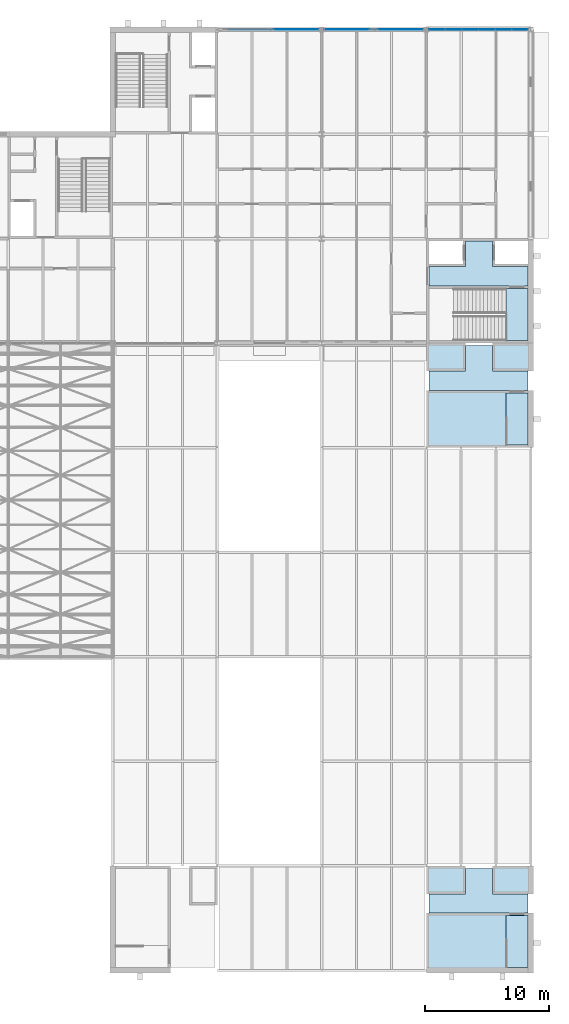
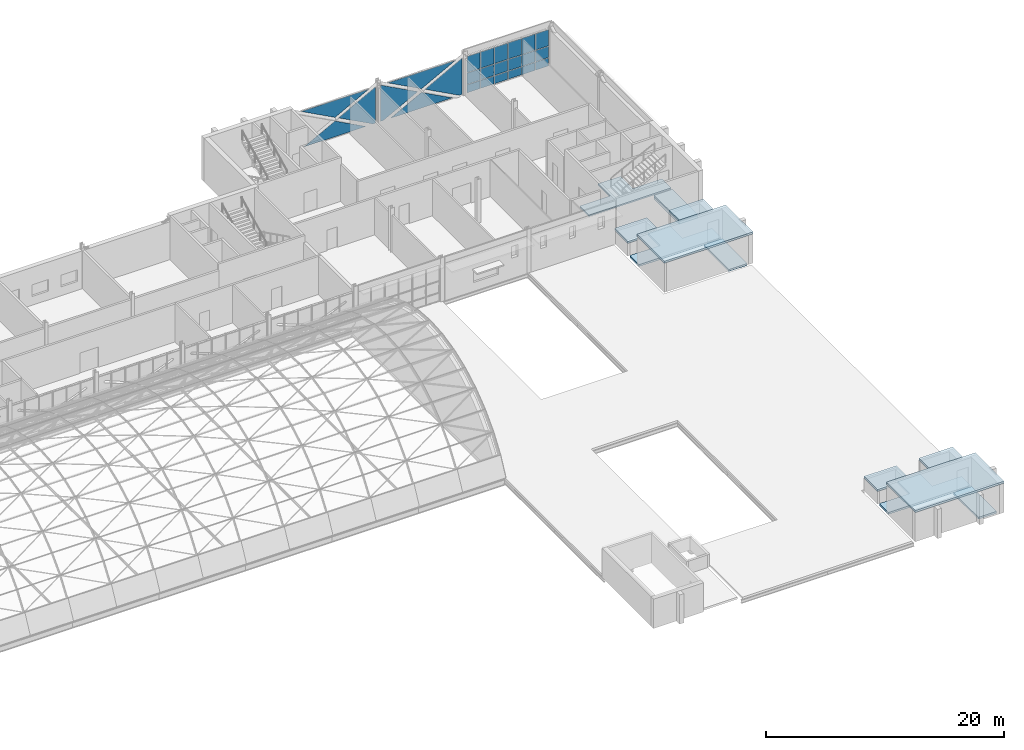
# One storey, part 81 of 121: 25 plates, 13 slabs, 3 elements without a shape of their own.
"""IFC4 building model written with IfcOpenShell, lengths in metres."""

from ifc_helpers import new_model, si_unit, direction, frame, origin, origin_2d, place, context, subcontext, project, spatial, polyline, rectangle, outline, extrude, material, layer, layer_set, type_object, element, aggregate, save


model = new_model("IFC4")

# Units and contexts
model_context = context("Model", 3, precision=1e-05, world=origin(), true_north=direction((0.0, 1.0)))
body_context = subcontext(model_context, "Body", "Model", "MODEL_VIEW")
ifc_project = project(units=[si_unit("LENGTHUNIT", "METRE"), si_unit("AREAUNIT", "SQUARE_METRE"), si_unit("VOLUMEUNIT", "CUBIC_METRE"), si_unit("PLANEANGLEUNIT", "RADIAN"), si_unit("MASSUNIT", "GRAM", prefix="KILO")], contexts=[model_context])

# Site, building, storey
site_placement = place(None, origin())
site = spatial("IfcSite", under=ifc_project, at=site_placement, CompositionType="ELEMENT")
building_placement = place(site_placement, origin())
building = spatial("IfcBuilding", under=site, at=building_placement, Name="Ardhachandra Cancer Care Centre", CompositionType="ELEMENT")
storey_placement = place(building_placement, frame((0.0, 0.0, 9.0)))
storey = spatial("IfcBuildingStorey", under=building, at=storey_placement, Name="L02", CompositionType="ELEMENT", Elevation=9.0)

# Slabs
ifc_material_1 = material(Name="Concrete M40", Category="concrete")
ifc_layer_1 = layer(ifc_material_1, 0.14990234375)
ifc_layer_set_1 = layer_set([ifc_layer_1], Name="Concrete M40")
slab_type_1 = type_object("IfcSlabType", Name="Core floor slab 150", PredefinedType="FLOOR", material=ifc_layer_set_1)
slab_1_placement = place(storey_placement, frame((0.0, 0.0, -0.14990234375)))
element("IfcSlab", 1, at=slab_1_placement, inside=storey, type_object=slab_type_1, Name="Core floor slab K13 L02 1", PredefinedType="FLOOR", context=body_context, shape_type="SweptSolid", body=[
    extrude(outline(polyline([(144.97509765625, 80.0), (144.97509765625, 84.199951171875), (143.199951171875, 84.199951171875), (143.199951171875, 80.0), (144.97509765625, 80.0)])), origin(), (0.0, 0.0, 1.0), 0.14990234375),
])
slab_2_placement = place(storey_placement, frame((0.0, 0.0, -0.14990234375)))
element("IfcSlab", 2, at=slab_2_placement, inside=storey, type_object=slab_type_1, Name="Core floor slab K13 L02 2", PredefinedType="FLOOR", context=body_context, shape_type="SweptSolid", body=[
    extrude(outline(polyline([(139.949951171875, 88.0), (139.949951171875, 86.14990234375), (139.949951171875, 85.949951171875), (137.0, 85.949951171875), (137.0, 84.39990234375), (144.97509765625, 84.39990234375), (144.97509765625, 85.949951171875), (142.125, 85.949951171875), (142.125, 86.14990234375), (142.125, 88.0), (139.949951171875, 88.0)])), origin(), (0.0, 0.0, 1.0), 0.14990234375),
])
ifc_material_2 = material(Name="Concrete M40", Category="concrete")
ifc_layer_2 = layer(ifc_material_2, 0.199951171875)
ifc_layer_set_2 = layer_set([ifc_layer_2], Name="Concrete M40")
slab_type_2 = type_object("IfcSlabType", Name="Core head-house floor slab 200", PredefinedType="FLOOR", material=ifc_layer_set_2)
slab_3_placement = place(storey_placement, frame((0.0, 0.0, -0.199951171875)))
element("IfcSlab", 3, at=slab_3_placement, inside=storey, type_object=slab_type_2, Name="Stair head-house floor slab K9 1", PredefinedType="FLOOR", context=body_context, shape_type="SweptSolid", body=[
    extrude(outline(polyline([(144.97509765625, 33.824951171875), (143.199951171875, 33.824951171875), (143.199951171875, 29.625), (144.97509765625, 29.625), (144.97509765625, 33.824951171875)])), origin(), (0.0, 0.0, 1.0), 0.199951171875),
])
slab_4_placement = place(storey_placement, frame((0.0, 0.0, -0.199951171875)))
element("IfcSlab", 4, at=slab_4_placement, inside=storey, type_object=slab_type_2, Name="Stair head-house floor slab K10 1", PredefinedType="FLOOR", context=body_context, shape_type="SweptSolid", body=[
    extrude(outline(polyline([(144.97509765625, 75.800048828125), (143.199951171875, 75.800048828125), (143.199951171875, 71.60009765625), (144.97509765625, 71.60009765625), (144.97509765625, 75.800048828125)])), origin(), (0.0, 0.0, 1.0), 0.199951171875),
])
ifc_material_3 = material(Name="Concrete M40", Category="concrete")
ifc_layer_3 = layer(ifc_material_3, 0.199951171875)
ifc_layer_set_3 = layer_set([ifc_layer_3], Name="Concrete M40")
slab_type_3 = type_object("IfcSlabType", Name="Core roof slab 200", PredefinedType="ROOF", material=ifc_layer_set_3)
slab_5_placement = place(storey_placement, frame((0.0, 0.0, -0.199951171875)))
element("IfcSlab", 5, at=slab_5_placement, inside=storey, type_object=slab_type_3, Name="Core roof slab K9 2", PredefinedType="ROOF", context=body_context, shape_type="SweptSolid", body=[
    extrude(outline(polyline([(139.949951171875, 35.75), (139.949951171875, 35.550048828125), (137.0, 35.550048828125), (137.0, 34.02490234375), (144.97509765625, 34.02490234375), (144.97509765625, 35.550048828125), (142.125, 35.550048828125), (142.125, 35.75), (142.125, 37.60009765625), (139.949951171875, 37.60009765625), (139.949951171875, 35.75)])), origin(), (0.0, 0.0, 1.0), 0.199951171875),
])
slab_6_placement = place(storey_placement, frame((0.0, 0.0, -0.199951171875)))
element("IfcSlab", 6, at=slab_6_placement, inside=storey, type_object=slab_type_3, Name="Core roof slab K10 2", PredefinedType="ROOF", context=body_context, shape_type="SweptSolid", body=[
    extrude(outline(polyline([(139.949951171875, 77.75), (139.949951171875, 77.550048828125), (137.0, 77.550048828125), (137.0, 76.0), (144.97509765625, 76.0), (144.97509765625, 77.550048828125), (142.125, 77.550048828125), (142.125, 77.75), (142.125, 79.60009765625), (139.949951171875, 79.60009765625), (139.949951171875, 77.75)])), origin(), (0.0, 0.0, 1.0), 0.199951171875),
])
ifc_material_4 = material(Name="Concrete M40", Category="concrete")
ifc_layer_4 = layer(ifc_material_4, 0.300048828125)
ifc_layer_set_4 = layer_set([ifc_layer_4], Name="Concrete M40")
slab_type_4 = type_object("IfcSlabType", Name="Core stair edge slab 300", PredefinedType="FLOOR", material=ifc_layer_set_4)
slab_7_placement = place(storey_placement, frame((0.0, 0.0, -0.449951171875)))
element("IfcSlab", 7, at=slab_7_placement, inside=storey, type_object=slab_type_4, Name="Core stair edge slab K13 L02", PredefinedType="FLOOR", context=body_context, shape_type="SweptSolid", body=[
    extrude(outline(polyline([(143.199951171875, 80.0), (143.199951171875, 84.199951171875), (144.97509765625, 84.199951171875), (144.97509765625, 80.0), (143.199951171875, 80.0)])), origin(), (0.0, 0.0, 1.0), 0.300048828125),
])

# Curtain wall, plates
ifc_material_5 = material(Name="Aluminium extrusion", Category="aluminium")
ifc_layer_5 = layer(ifc_material_5, 0.14990234375)
ifc_layer_set_5 = layer_set([ifc_layer_5], Name="Aluminium extrusion")
curtain_wall_type = type_object("IfcCurtainWallType", Name="Curtain wall run", PredefinedType="NOTDEFINED", material=ifc_layer_set_5)
curtain_wall_1_placement = place(storey_placement, origin())
curtain_wall_1 = element("IfcCurtainWall", 8, at=curtain_wall_1_placement, inside=storey, type_object=curtain_wall_type, Name="Curtain wall L02 n/0120000_0105000", PredefinedType="NOTDEFINED")
ifc_material_6 = material(Name="Low-iron double-glazed unit")
ifc_layer_6 = layer(ifc_material_6, 0.028076171875)
ifc_layer_set_6 = layer_set([ifc_layer_6], Name="Low-iron double-glazed unit")
plate_type_1 = type_object("IfcPlateType", Name="Curtain wall glazing 28", PredefinedType="CURTAIN_PANEL", material=ifc_layer_set_6)
plate_1_placement = place(storey_placement, frame((128.154541015625, 105.0, 0.06005859375), z_axis=(0.0, 1.0, 0.0), x_axis=(-1.0, 0.0, 0.0)))
plate_1 = element("IfcPlate", 9, at=plate_1_placement, type_object=plate_type_1, Name="CW panel 1.1", PredefinedType="CURTAIN_PANEL", context=body_context, shape_type="SweptSolid", body=[
    extrude(outline(polyline([(0.0, 0.0), (0.26806640625, 0.0), (3.609375, 1.7900390625), (0.0, 3.7236328125), (0.0, 0.0)])), origin(), (0.0, 0.0, 1.0), 0.028076171875),
])
plate_2_placement = place(storey_placement, frame((127.476318359375, 105.0, 3.7900390625), z_axis=(0.0, 1.0, 0.0), x_axis=(-0.881487781758, 0.0, -0.472206830332)))
plate_2 = element("IfcPlate", 10, at=plate_2_placement, type_object=plate_type_1, Name="CW panel 1.1", PredefinedType="CURTAIN_PANEL", context=body_context, shape_type="SweptSolid", body=[
    extrude(outline(polyline([(0.0, 0.0), (3.716796875, 0.0), (5.77587890625, 3.09423828125), (0.0, 0.0)])), frame((0.0, 0.0, -0.028076171875)), (0.0, 0.0, 1.0), 0.028076171875),
])
plate_3_placement = place(storey_placement, frame((121.203857421875, 105.0, 0.06005859375), z_axis=(0.0, 1.0, 0.0), x_axis=(0.88148851251, 0.0, 0.472205466203)))
plate_3 = element("IfcPlate", 11, at=plate_3_placement, type_object=plate_type_1, Name="CW panel 1.1", PredefinedType="CURTAIN_PANEL", context=body_context, shape_type="SweptSolid", body=[
    extrude(outline(polyline([(0.0, 0.0), (3.39892578125, 0.0), (5.2822265625, 2.82958984375), (0.0, 0.0)])), frame((0.0, 0.0, -0.028076171875)), (0.0, 0.0, 1.0), 0.028076171875),
])
aggregate(curtain_wall_1, [plate_1, plate_2, plate_3])

curtain_wall_2_placement = place(storey_placement, origin())
curtain_wall_2 = element("IfcCurtainWall", 12, at=curtain_wall_2_placement, inside=storey, type_object=curtain_wall_type, Name="Curtain wall L02 n/0128400_0105000", PredefinedType="NOTDEFINED")
plate_4_placement = place(storey_placement, frame((136.554443359375, 105.0, 0.06005859375), z_axis=(0.0, 1.0, 0.0), x_axis=(-1.0, 0.0, 0.0)))
plate_4 = element("IfcPlate", 13, at=plate_4_placement, type_object=plate_type_1, Name="CW panel 1.1", PredefinedType="CURTAIN_PANEL", context=body_context, shape_type="SweptSolid", body=[
    extrude(outline(polyline([(0.0, 0.0), (0.26806640625, 0.0), (3.609375, 1.7900390625), (0.0, 3.7236328125), (0.0, 0.0)])), origin(), (0.0, 0.0, 1.0), 0.028076171875),
])
plate_5_placement = place(storey_placement, frame((135.876220703125, 105.0, 3.7900390625), z_axis=(0.0, 1.0, 0.0), x_axis=(-0.881473134172, 0.0, -0.472234172559)))
plate_5 = element("IfcPlate", 14, at=plate_5_placement, type_object=plate_type_1, Name="CW panel 1.1", PredefinedType="CURTAIN_PANEL", context=body_context, shape_type="SweptSolid", body=[
    extrude(outline(polyline([(0.0, 0.0), (3.716552734375, 0.0), (5.77587890625, 3.09423828125), (0.0, 0.0)])), frame((0.0, 0.0, -0.028076171875)), (0.0, 0.0, 1.0), 0.028076171875),
])
plate_6_placement = place(storey_placement, frame((128.6455078125, 105.0, 0.06005859375), z_axis=(0.0, 1.0, 0.0), x_axis=(0.0, 0.0, 1.0)))
plate_6 = element("IfcPlate", 15, at=plate_6_placement, type_object=plate_type_1, Name="CW panel 1.1", PredefinedType="CURTAIN_PANEL", context=body_context, shape_type="SweptSolid", body=[
    extrude(outline(polyline([(0.0, 0.0), (3.7236328125, 0.0), (1.7900390625, 3.609375), (0.0, 0.26806640625), (0.0, 0.0)])), origin(), (0.0, 0.0, 1.0), 0.028076171875),
])
plate_7_placement = place(storey_placement, frame((129.603759765625, 105.0, 0.06005859375), z_axis=(0.0, 1.0, 0.0), x_axis=(0.881504527331, 0.0, 0.472175569354)))
plate_7 = element("IfcPlate", 16, at=plate_7_placement, type_object=plate_type_1, Name="CW panel 1.1", PredefinedType="CURTAIN_PANEL", context=body_context, shape_type="SweptSolid", body=[
    extrude(outline(polyline([(0.0, 0.0), (3.399169921875, 0.0), (5.282470703125, 2.82958984375), (0.0, 0.0)])), frame((0.0, 0.0, -0.028076171875)), (0.0, 0.0, 1.0), 0.028076171875),
])
aggregate(curtain_wall_2, [plate_4, plate_5, plate_6, plate_7])

curtain_wall_3_placement = place(storey_placement, origin())
curtain_wall_3 = element("IfcCurtainWall", 17, at=curtain_wall_3_placement, inside=storey, type_object=curtain_wall_type, Name="Curtain wall L02 n/0136800_0105000", PredefinedType="NOTDEFINED")
plate_8_placement = place(storey_placement, frame((137.669677734375, 105.0, 0.93017578125), z_axis=(0.0, 0.0, 1.0), x_axis=(1.0, 0.0, 0.0)))
plate_8 = element("IfcPlate", 18, at=plate_8_placement, type_object=plate_type_1, Name="CW panel 1.2", PredefinedType="CURTAIN_PANEL", context=body_context, shape_type="SweptSolid", body=[
    extrude(rectangle(XDim=1.248046875, YDim=0.028076171875, at=origin_2d()), origin(), (0.0, 0.0, 1.0), 1.139892578125),
])
plate_9_placement = place(storey_placement, frame((137.669677734375, 105.0, 2.1298828125), z_axis=(0.0, 0.0, 1.0), x_axis=(1.0, 0.0, 0.0)))
plate_9 = element("IfcPlate", 19, at=plate_9_placement, type_object=plate_type_1, Name="CW panel 1.3", PredefinedType="CURTAIN_PANEL", context=body_context, shape_type="SweptSolid", body=[
    extrude(rectangle(XDim=1.248046875, YDim=0.028076171875, at=origin_2d()), origin(), (0.0, 0.0, 1.0), 1.659912109375),
])
plate_10_placement = place(storey_placement, frame((138.99267578125, 105.0, 0.93017578125), z_axis=(0.0, 0.0, 1.0), x_axis=(1.0, 0.0, 0.0)))
plate_10 = element("IfcPlate", 20, at=plate_10_placement, type_object=plate_type_1, Name="CW panel 2.2", PredefinedType="CURTAIN_PANEL", context=body_context, shape_type="SweptSolid", body=[
    extrude(rectangle(XDim=1.278076171875, YDim=0.028076171875, at=origin_2d()), origin(), (0.0, 0.0, 1.0), 1.139892578125),
])
plate_11_placement = place(storey_placement, frame((138.99267578125, 105.0, 2.1298828125), z_axis=(0.0, 0.0, 1.0), x_axis=(1.0, 0.0, 0.0)))
plate_11 = element("IfcPlate", 21, at=plate_11_placement, type_object=plate_type_1, Name="CW panel 2.3", PredefinedType="CURTAIN_PANEL", context=body_context, shape_type="SweptSolid", body=[
    extrude(rectangle(XDim=1.278076171875, YDim=0.028076171875, at=origin_2d()), origin(), (0.0, 0.0, 1.0), 1.659912109375),
])
plate_12_placement = place(storey_placement, frame((140.330810546875, 105.0, 0.93017578125), z_axis=(0.0, 0.0, 1.0), x_axis=(1.0, 0.0, 0.0)))
plate_12 = element("IfcPlate", 22, at=plate_12_placement, type_object=plate_type_1, Name="CW panel 3.2", PredefinedType="CURTAIN_PANEL", context=body_context, shape_type="SweptSolid", body=[
    extrude(rectangle(XDim=1.278076171875, YDim=0.028076171875, at=origin_2d()), origin(), (0.0, 0.0, 1.0), 1.139892578125),
])
plate_13_placement = place(storey_placement, frame((140.330810546875, 105.0, 2.1298828125), z_axis=(0.0, 0.0, 1.0), x_axis=(1.0, 0.0, 0.0)))
plate_13 = element("IfcPlate", 23, at=plate_13_placement, type_object=plate_type_1, Name="CW panel 3.3", PredefinedType="CURTAIN_PANEL", context=body_context, shape_type="SweptSolid", body=[
    extrude(rectangle(XDim=1.278076171875, YDim=0.028076171875, at=origin_2d()), origin(), (0.0, 0.0, 1.0), 1.659912109375),
])
plate_14_placement = place(storey_placement, frame((141.669189453125, 105.0, 0.93017578125), z_axis=(0.0, 0.0, 1.0), x_axis=(1.0, 0.0, 0.0)))
plate_14 = element("IfcPlate", 24, at=plate_14_placement, type_object=plate_type_1, Name="CW panel 4.2", PredefinedType="CURTAIN_PANEL", context=body_context, shape_type="SweptSolid", body=[
    extrude(rectangle(XDim=1.278076171875, YDim=0.028076171875, at=origin_2d()), origin(), (0.0, 0.0, 1.0), 1.139892578125),
])
plate_15_placement = place(storey_placement, frame((141.669189453125, 105.0, 2.1298828125), z_axis=(0.0, 0.0, 1.0), x_axis=(1.0, 0.0, 0.0)))
plate_15 = element("IfcPlate", 25, at=plate_15_placement, type_object=plate_type_1, Name="CW panel 4.3", PredefinedType="CURTAIN_PANEL", context=body_context, shape_type="SweptSolid", body=[
    extrude(rectangle(XDim=1.278076171875, YDim=0.028076171875, at=origin_2d()), origin(), (0.0, 0.0, 1.0), 1.659912109375),
])
ifc_material_7 = material(Name="Aluminium composite spandrel panel", Category="aluminium")
ifc_layer_7 = layer(ifc_material_7, 0.028076171875)
ifc_layer_set_7 = layer_set([ifc_layer_7], Name="Aluminium composite spandrel panel")
plate_type_2 = type_object("IfcPlateType", Name="Curtain wall spandrel panel 28", PredefinedType="CURTAIN_PANEL", material=ifc_layer_set_7)
plate_16_placement = place(storey_placement, frame((137.669677734375, 105.0, 0.06005859375), z_axis=(0.0, 0.0, 1.0), x_axis=(1.0, 0.0, 0.0)))
plate_16 = element("IfcPlate", 26, at=plate_16_placement, type_object=plate_type_2, Name="CW panel 1.1", PredefinedType="CURTAIN_PANEL", context=body_context, shape_type="SweptSolid", body=[
    extrude(rectangle(XDim=1.248046875, YDim=0.028076171875, at=origin_2d()), origin(), (0.0, 0.0, 1.0), 0.81005859375),
])
plate_17_placement = place(storey_placement, frame((138.99267578125, 105.0, 0.06005859375), z_axis=(0.0, 0.0, 1.0), x_axis=(1.0, 0.0, 0.0)))
plate_17 = element("IfcPlate", 27, at=plate_17_placement, type_object=plate_type_2, Name="CW panel 2.1", PredefinedType="CURTAIN_PANEL", context=body_context, shape_type="SweptSolid", body=[
    extrude(rectangle(XDim=1.278076171875, YDim=0.028076171875, at=origin_2d()), origin(), (0.0, 0.0, 1.0), 0.81005859375),
])
plate_18_placement = place(storey_placement, frame((140.330810546875, 105.0, 0.06005859375), z_axis=(0.0, 0.0, 1.0), x_axis=(1.0, 0.0, 0.0)))
plate_18 = element("IfcPlate", 28, at=plate_18_placement, type_object=plate_type_2, Name="CW panel 3.1", PredefinedType="CURTAIN_PANEL", context=body_context, shape_type="SweptSolid", body=[
    extrude(rectangle(XDim=1.278076171875, YDim=0.028076171875, at=origin_2d()), origin(), (0.0, 0.0, 1.0), 0.81005859375),
])
plate_19_placement = place(storey_placement, frame((141.669189453125, 105.0, 0.06005859375), z_axis=(0.0, 0.0, 1.0), x_axis=(1.0, 0.0, 0.0)))
plate_19 = element("IfcPlate", 29, at=plate_19_placement, type_object=plate_type_2, Name="CW panel 4.1", PredefinedType="CURTAIN_PANEL", context=body_context, shape_type="SweptSolid", body=[
    extrude(rectangle(XDim=1.278076171875, YDim=0.028076171875, at=origin_2d()), origin(), (0.0, 0.0, 1.0), 0.81005859375),
])
plate_20_placement = place(storey_placement, frame((143.00732421875, 105.0, 0.06005859375), z_axis=(0.0, 0.0, 1.0), x_axis=(1.0, 0.0, 0.0)))
plate_20 = element("IfcPlate", 30, at=plate_20_placement, type_object=plate_type_2, Name="CW panel 5.1", PredefinedType="CURTAIN_PANEL", context=body_context, shape_type="SweptSolid", body=[
    extrude(rectangle(XDim=1.278076171875, YDim=0.028076171875, at=origin_2d()), origin(), (0.0, 0.0, 1.0), 0.81005859375),
])
plate_21_placement = place(storey_placement, frame((143.00732421875, 105.0, 0.93017578125), z_axis=(0.0, 0.0, 1.0), x_axis=(1.0, 0.0, 0.0)))
plate_21 = element("IfcPlate", 31, at=plate_21_placement, type_object=plate_type_2, Name="CW panel 5.2", PredefinedType="CURTAIN_PANEL", context=body_context, shape_type="SweptSolid", body=[
    extrude(rectangle(XDim=1.278076171875, YDim=0.028076171875, at=origin_2d()), origin(), (0.0, 0.0, 1.0), 1.139892578125),
])
plate_22_placement = place(storey_placement, frame((143.00732421875, 105.0, 2.1298828125), z_axis=(0.0, 0.0, 1.0), x_axis=(1.0, 0.0, 0.0)))
plate_22 = element("IfcPlate", 32, at=plate_22_placement, type_object=plate_type_2, Name="CW panel 5.3", PredefinedType="CURTAIN_PANEL", context=body_context, shape_type="SweptSolid", body=[
    extrude(rectangle(XDim=1.278076171875, YDim=0.028076171875, at=origin_2d()), origin(), (0.0, 0.0, 1.0), 1.659912109375),
])
plate_23_placement = place(storey_placement, frame((144.330322265625, 105.0, 0.06005859375), z_axis=(0.0, 0.0, 1.0), x_axis=(1.0, 0.0, 0.0)))
plate_23 = element("IfcPlate", 33, at=plate_23_placement, type_object=plate_type_2, Name="CW panel 6.1", PredefinedType="CURTAIN_PANEL", context=body_context, shape_type="SweptSolid", body=[
    extrude(rectangle(XDim=1.248046875, YDim=0.028076171875, at=origin_2d()), origin(), (0.0, 0.0, 1.0), 0.81005859375),
])
plate_24_placement = place(storey_placement, frame((144.330322265625, 105.0, 0.93017578125), z_axis=(0.0, 0.0, 1.0), x_axis=(1.0, 0.0, 0.0)))
plate_24 = element("IfcPlate", 34, at=plate_24_placement, type_object=plate_type_2, Name="CW panel 6.2", PredefinedType="CURTAIN_PANEL", context=body_context, shape_type="SweptSolid", body=[
    extrude(rectangle(XDim=1.248046875, YDim=0.028076171875, at=origin_2d()), origin(), (0.0, 0.0, 1.0), 1.139892578125),
])
plate_25_placement = place(storey_placement, frame((144.330322265625, 105.0, 2.1298828125), z_axis=(0.0, 0.0, 1.0), x_axis=(1.0, 0.0, 0.0)))
plate_25 = element("IfcPlate", 35, at=plate_25_placement, type_object=plate_type_2, Name="CW panel 6.3", PredefinedType="CURTAIN_PANEL", context=body_context, shape_type="SweptSolid", body=[
    extrude(rectangle(XDim=1.248046875, YDim=0.028076171875, at=origin_2d()), origin(), (0.0, 0.0, 1.0), 1.659912109375),
])
aggregate(curtain_wall_3, [plate_16, plate_8, plate_9, plate_17, plate_10, plate_11, plate_18, plate_12, plate_13, plate_19, plate_14, plate_15, plate_20, plate_21, plate_22, plate_23, plate_24, plate_25])

# Slabs
ifc_material_8 = material(Name="Concrete M40", Category="concrete")
ifc_layer_8 = layer(ifc_material_8, 0.199951171875)
ifc_layer_set_8 = layer_set([ifc_layer_8], Name="Concrete M40")
slab_type_5 = type_object("IfcSlabType", Name="Head-house and overrun roof slab 200", PredefinedType="ROOF", material=ifc_layer_set_8)
slab_8_placement = place(storey_placement, frame((0.0, 0.0, 3.0)))
element("IfcSlab", 36, at=slab_8_placement, inside=storey, type_object=slab_type_5, Name="Stair head-house roof K9", PredefinedType="ROOF", context=body_context, shape_type="SweptSolid", body=[
    extrude(outline(polyline([(145.425048828125, 29.175048828125), (136.800048828125, 29.175048828125), (136.800048828125, 34.02490234375), (145.425048828125, 34.02490234375), (145.425048828125, 29.175048828125)])), origin(), (0.0, 0.0, 1.0), 0.199951171875),
])
slab_9_placement = place(storey_placement, frame((0.0, 0.0, 1.300048828125)))
element("IfcSlab", 37, at=slab_9_placement, inside=storey, type_object=slab_type_5, Name="Lift overrun roof K9A", PredefinedType="ROOF", context=body_context, shape_type="SweptSolid", body=[
    extrude(outline(polyline([(139.949951171875, 37.800048828125), (139.949951171875, 35.550048828125), (136.800048828125, 35.550048828125), (136.800048828125, 37.800048828125), (139.949951171875, 37.800048828125)])), origin(), (0.0, 0.0, 1.0), 0.199951171875),
])
slab_10_placement = place(storey_placement, frame((0.0, 0.0, 1.300048828125)))
element("IfcSlab", 38, at=slab_10_placement, inside=storey, type_object=slab_type_5, Name="Lift overrun roof K9B", PredefinedType="ROOF", context=body_context, shape_type="SweptSolid", body=[
    extrude(outline(polyline([(145.425048828125, 37.800048828125), (145.425048828125, 35.550048828125), (142.125, 35.550048828125), (142.125, 37.800048828125), (145.425048828125, 37.800048828125)])), origin(), (0.0, 0.0, 1.0), 0.199951171875),
])
slab_11_placement = place(storey_placement, frame((0.0, 0.0, 3.0)))
element("IfcSlab", 39, at=slab_11_placement, inside=storey, type_object=slab_type_5, Name="Stair head-house roof K10", PredefinedType="ROOF", context=body_context, shape_type="SweptSolid", body=[
    extrude(outline(polyline([(145.425048828125, 71.39990234375), (136.800048828125, 71.39990234375), (136.800048828125, 76.0), (145.425048828125, 76.0), (145.425048828125, 71.39990234375)])), origin(), (0.0, 0.0, 1.0), 0.199951171875),
])
slab_12_placement = place(storey_placement, frame((0.0, 0.0, 1.300048828125)))
element("IfcSlab", 40, at=slab_12_placement, inside=storey, type_object=slab_type_5, Name="Lift overrun roof K10A", PredefinedType="ROOF", context=body_context, shape_type="SweptSolid", body=[
    extrude(outline(polyline([(139.949951171875, 79.800048828125), (139.949951171875, 77.550048828125), (136.800048828125, 77.550048828125), (136.800048828125, 79.800048828125), (139.949951171875, 79.800048828125)])), origin(), (0.0, 0.0, 1.0), 0.199951171875),
])
slab_13_placement = place(storey_placement, frame((0.0, 0.0, 1.300048828125)))
element("IfcSlab", 41, at=slab_13_placement, inside=storey, type_object=slab_type_5, Name="Lift overrun roof K10B", PredefinedType="ROOF", context=body_context, shape_type="SweptSolid", body=[
    extrude(outline(polyline([(145.425048828125, 79.800048828125), (145.425048828125, 77.550048828125), (142.125, 77.550048828125), (142.125, 79.800048828125), (145.425048828125, 79.800048828125)])), origin(), (0.0, 0.0, 1.0), 0.199951171875),
])

save(model, "model.ifc")
